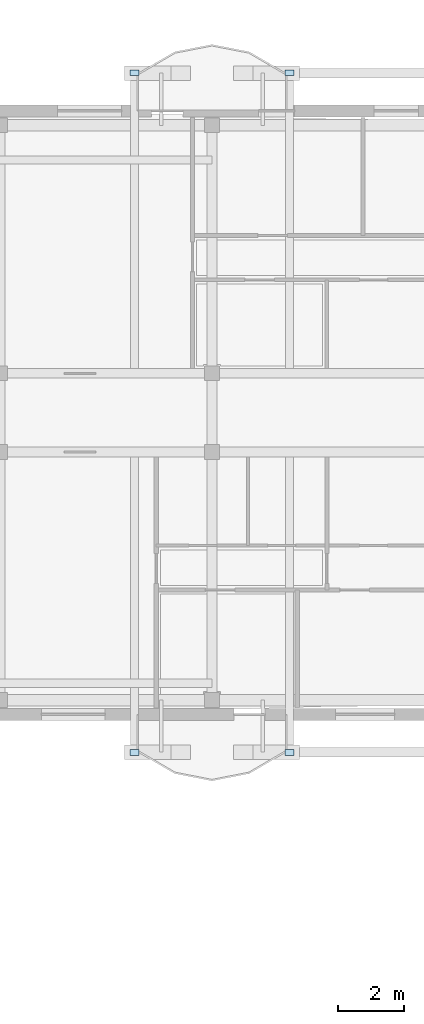
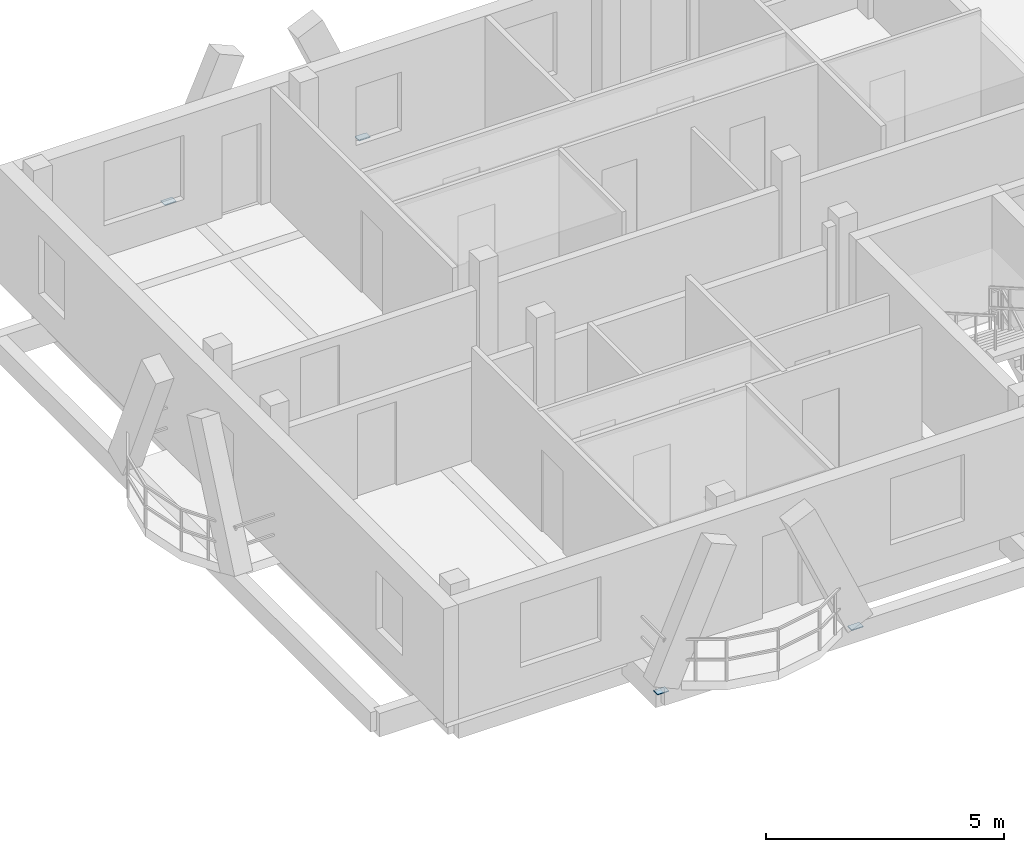
# One storey, part 12 of 48: 4 plates.
"""IFC4 building model written with IfcOpenShell, lengths in metres."""

from ifc_helpers import new_model, si_unit, direction, frame, origin, origin_2d, place, context, subcontext, project, spatial, rectangle, extrude, material, layer, layer_set, type_object, element, save


model = new_model("IFC4")

# Units and contexts
model_context = context("Model", 3, precision=1e-05, world=origin(), true_north=direction((0.0, 1.0)))
body_context = subcontext(model_context, "Body", "Model", "MODEL_VIEW")
ifc_project = project(units=[si_unit("LENGTHUNIT", "METRE"), si_unit("AREAUNIT", "SQUARE_METRE"), si_unit("VOLUMEUNIT", "CUBIC_METRE"), si_unit("PLANEANGLEUNIT", "RADIAN"), si_unit("MASSUNIT", "GRAM", prefix="KILO")], contexts=[model_context])

# Site, building, storey
site_placement = place(None, origin())
site = spatial("IfcSite", under=ifc_project, at=site_placement, CompositionType="ELEMENT")
building_placement = place(site_placement, origin())
building = spatial("IfcBuilding", under=site, at=building_placement, Name="Zavelmont Quarter", CompositionType="ELEMENT")
storey_placement = place(building_placement, frame((0.0, 0.0, 17.60009765625)))
storey = spatial("IfcBuildingStorey", under=building, at=storey_placement, Name="L05", CompositionType="ELEMENT", Elevation=17.60009765625)

# Plates
ifc_material = material(Name="Steel S355", Category="steel")
ifc_layer = layer(ifc_material, 0.02001953125)
ifc_layer_set = layer_set([ifc_layer], Name="Steel S355")
plate_type = type_object("IfcPlateType", Name="NP01", PredefinedType="SHEET", material=ifc_layer_set)
for number, where, z_axis, x_axis, name in (
    (1, (117.34130859375, 117.162109375, -0.210205078125), (0.0, 0.0, 1.0), (1.0, 0.0, 0.0), "L05 steel connection plate NP01 at 18/S"),
    (2, (122.05859375, 117.162109375, -0.210205078125), (0.0, 0.0, 1.0), (1.0, 0.0, 0.0), "L05 steel connection plate NP01 at 18/S"),
    (3, (117.34130859375, 96.43798828125, -0.210205078125), (0.0, 0.0, 1.0), (1.0, 0.0, 0.0), "L05 steel connection plate NP01 at 18/P"),
    (4, (122.05859375, 96.43798828125, -0.210205078125), (0.0, 0.0, 1.0), (1.0, 0.0, 0.0), "L05 steel connection plate NP01 at 18/P"),
):
    element("IfcPlate", number, at=place(storey_placement, frame(where, z_axis=z_axis, x_axis=x_axis)), inside=storey, type_object=plate_type, Name=name, PredefinedType="SHEET", context=body_context, shape_type="SweptSolid", body=[
        extrude(rectangle(XDim=0.280029296875, YDim=0.179931640625, at=origin_2d()), origin(), (0.0, 0.0, 1.0), 0.02001953125),
    ])

save(model, "model.ifc")
